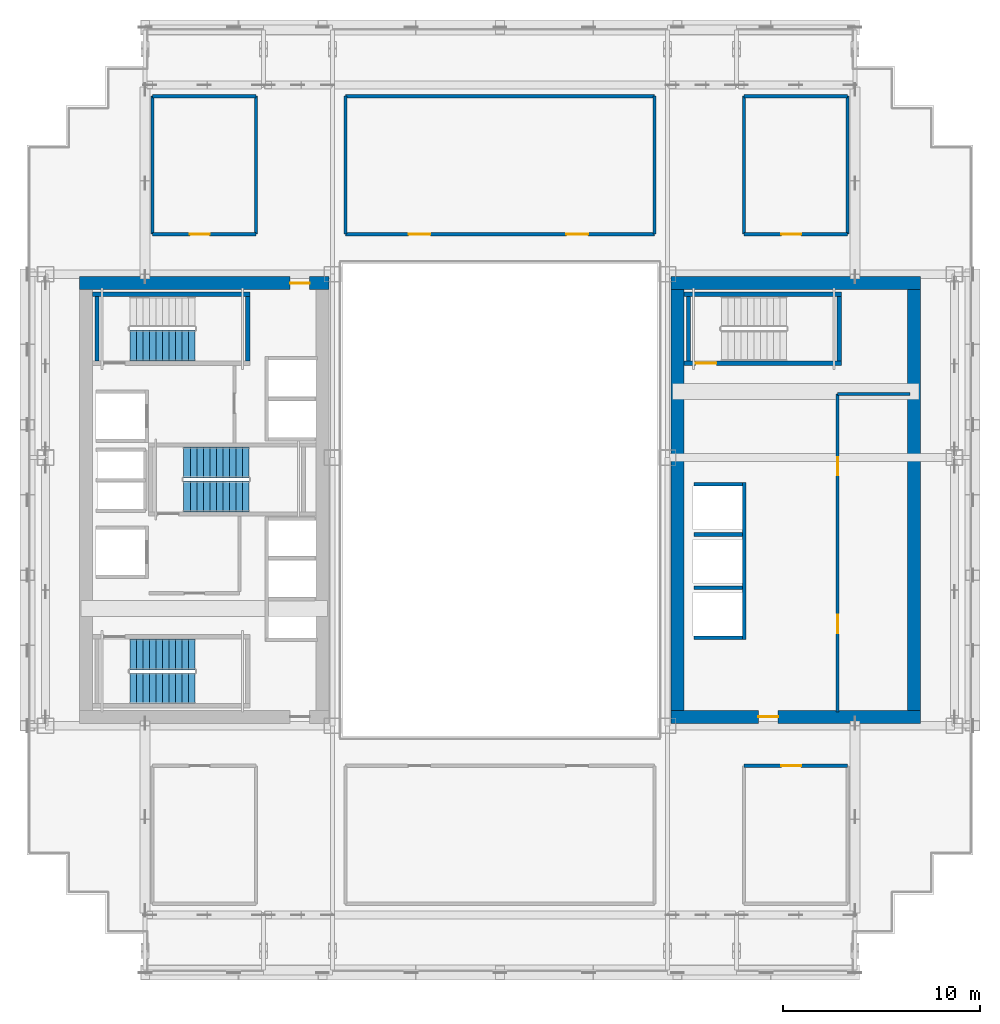
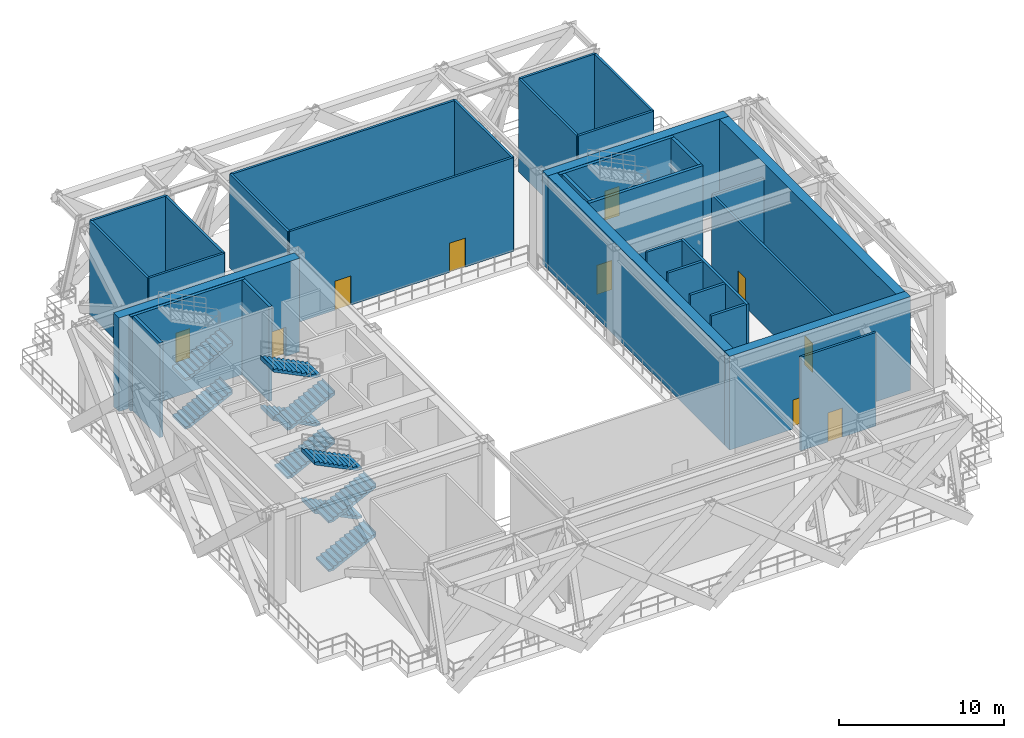
# One storey, part 8 of 14: 32 walls, 10 doors, 10 stair flights, 10 openings, 3 elements without a shape of their own.
"""IFC4 building model written with IfcOpenShell, lengths in metres."""

from ifc_helpers import new_model, si_unit, direction, frame, frame_2d, origin, place, context, subcontext, project, spatial, polyline, rectangle, outline, extrude, source, transform, mapped, material, layer, layer_set, type_object, element, fill, aggregate, save


model = new_model("IFC4")

# Units and contexts
model_context = context("Model", 3, precision=1e-05, world=origin(), true_north=direction((0.0, 1.0)))
body_context = subcontext(model_context, "Body", "Model", "MODEL_VIEW")
ifc_project = project(units=[si_unit("LENGTHUNIT", "METRE"), si_unit("AREAUNIT", "SQUARE_METRE"), si_unit("VOLUMEUNIT", "CUBIC_METRE"), si_unit("PLANEANGLEUNIT", "RADIAN"), si_unit("MASSUNIT", "GRAM", prefix="KILO")], contexts=[model_context])

# Site, building, storey
site_placement = place(None, origin())
site = spatial("IfcSite", under=ifc_project, at=site_placement, CompositionType="ELEMENT")
building_placement = place(site_placement, origin())
building = spatial("IfcBuilding", under=site, at=building_placement, Name="Ocotamira Hotel", CompositionType="ELEMENT")
storey_placement = place(building_placement, frame((0.0, 0.0, 151.199951171875)))
storey = spatial("IfcBuildingStorey", under=building, at=storey_placement, Name="L38", CompositionType="ELEMENT", Elevation=151.199951171875)

# Wall, opening, door
ifc_material_1 = material(Name="Concrete C60/75", Category="concrete")
ifc_layer_1 = layer(ifc_material_1, 0.64990234375)
ifc_layer_set_1 = layer_set([ifc_layer_1], Name="Concrete C60/75")
wall_type_1 = type_object("IfcWallType", Name="WL-CORE-650", PredefinedType="SHEAR", material=ifc_layer_set_1)
wall_1_placement = place(storey_placement, frame((10.675048828125, 37.0, 0.0), z_axis=(0.0, 0.0, 1.0), x_axis=(1.0, 0.0, 0.0)))
wall_1 = element("IfcWall", 1, at=wall_1_placement, inside=storey, type_object=wall_type_1, Name="L38 Shear Core Wall WCORE-N", PredefinedType="SHEAR", context=body_context, shape_type="SweptSolid", body=[
    extrude(rectangle(XDim=12.64990234375, YDim=0.64990234375, at=frame_2d((6.324951171875, 0.0))), origin(), (0.0, 0.0, 1.0), 6.920166015625),
])
opening_1_placement = place(wall_1_placement, frame((10.675048828125, 0.0, 0.0)))
opening_1 = element("IfcOpeningElement", 2, at=opening_1_placement, cuts=wall_1, Name="Opening D-FR2", PredefinedType="OPENING", context=body_context, shape_type="SweptSolid", body=[
    extrude(rectangle(XDim=1.0, YDim=2.14990234375, at=frame_2d((0.5, 1.074951171875))), frame((0.0, 0.3349609375, 0.0), z_axis=(0.0, -1.0, 0.0), x_axis=(1.0, 0.0, 0.0)), (0.0, 0.0, 1.0), 0.669921875),
])
ifc_material_2 = material(Name="Fire-rated acoustic timber-veneer door", Category="wood")
door_type_1 = type_object("IfcDoorType", Name="DR-FIRE-1000", OperationType="NOTDEFINED", PredefinedType="DOOR", material=ifc_material_2)
shared_shape_1 = source(origin(), body_context, "Body", "SweptSolid", [
    extrude(rectangle(XDim=1.0, YDim=2.14990234375, at=frame_2d((0.5, 1.074951171875))), frame((0.0, 0.02490234375, 0.0), z_axis=(0.0, -1.0, 0.0), x_axis=(1.0, 0.0, 0.0)), (0.0, 0.0, 1.0), 0.050048828125),
])
door_1_placement = place(opening_1_placement, origin())
door_1 = element("IfcDoor", 3, at=door_1_placement, inside=storey, type_object=door_type_1, Name="L38 Door ID-L38-WLOB-N-D [ID-L38-WLOB-N-D]", OperationType="SINGLE_SWING_RIGHT", OverallHeight=2.14990234375, OverallWidth=1.0, PredefinedType="DOOR", context=body_context, shape_type="MappedRepresentation", body=[
    mapped(shared_shape_1, transform((0.0, 0.0, 0.0), scale=1.0)),
])
fill(opening_1, door_1)

wall_2_placement = place(storey_placement, frame((40.675048828125, 15.0, 0.0), z_axis=(0.0, 0.0, 1.0), x_axis=(1.0, 0.0, 0.0)))
wall_2 = element("IfcWall", 4, at=wall_2_placement, inside=storey, type_object=wall_type_1, Name="L38 Shear Core Wall ECORE-S", PredefinedType="SHEAR", context=body_context, shape_type="SweptSolid", body=[
    extrude(rectangle(XDim=12.64990234375, YDim=0.64990234375, at=frame_2d((6.324951171875, 0.0))), origin(), (0.0, 0.0, 1.0), 6.920166015625),
])
opening_2_placement = place(wall_2_placement, frame((4.425048828125, 0.0, 0.0)))
opening_2 = element("IfcOpeningElement", 5, at=opening_2_placement, cuts=wall_2, Name="Opening D-FR2", PredefinedType="OPENING", context=body_context, shape_type="SweptSolid", body=[
    extrude(rectangle(XDim=1.0, YDim=2.14990234375, at=frame_2d((0.5, 1.074951171875))), frame((0.0, 0.3349609375, 0.0), z_axis=(0.0, -1.0, 0.0), x_axis=(1.0, 0.0, 0.0)), (0.0, 0.0, 1.0), 0.669921875),
])
door_2_placement = place(opening_2_placement, origin())
door_2 = element("IfcDoor", 6, at=door_2_placement, inside=storey, type_object=door_type_1, Name="L38 Door ID-L38-ELOB-S-D [ID-L38-ELOB-S-D]", OperationType="SINGLE_SWING_RIGHT", OverallHeight=2.14990234375, OverallWidth=1.0, PredefinedType="DOOR", context=body_context, shape_type="MappedRepresentation", body=[
    mapped(shared_shape_1, transform((0.0, 0.0, 0.0), scale=1.0)),
])
fill(opening_2, door_2)

# Walls
wall_3_placement = place(storey_placement, frame((40.675048828125, 37.0, 0.0), z_axis=(0.0, 0.0, 1.0), x_axis=(1.0, 0.0, 0.0)))
element("IfcWall", 7, at=wall_3_placement, inside=storey, type_object=wall_type_1, Name="L38 Shear Core Wall ECORE-N", PredefinedType="SHEAR", context=body_context, shape_type="SweptSolid", body=[
    extrude(rectangle(XDim=12.64990234375, YDim=0.64990234375, at=frame_2d((6.324951171875, 0.0))), origin(), (0.0, 0.0, 1.0), 6.920166015625),
])
for number, where, z_axis, x_axis, name in (
    (8, (41.0, 15.324951171875, 0.0), (0.0, 0.0, 1.0), (0.0, 1.0, 0.0), "L38 Shear Core Wall ECORE-W"),
    (9, (53.0, 15.324951171875, 0.0), (0.0, 0.0, 1.0), (0.0, 1.0, 0.0), "L38 Shear Core Wall ECORE-E"),
):
    element("IfcWall", number, at=place(storey_placement, frame(where, z_axis=z_axis, x_axis=x_axis)), inside=storey, type_object=wall_type_1, Name=name, PredefinedType="SHEAR", context=body_context, shape_type="SweptSolid", body=[
        extrude(rectangle(XDim=21.35009765625, YDim=0.64990234375, at=frame_2d((10.675048828125, 0.0))), origin(), (0.0, 0.0, 1.0), 6.920166015625),
    ])
ifc_material_3 = material(Name="Acoustic double-layer fire gypsum board partition", Category="gypsum")
ifc_layer_2 = layer(ifc_material_3, 0.159912109375)
ifc_layer_set_2 = layer_set([ifc_layer_2], Name="Acoustic double-layer fire gypsum board partition")
wall_type_2 = type_object("IfcWallType", Name="WL-FIRE-160", PredefinedType="PARTITIONING", material=ifc_layer_set_2)
wall_4_placement = place(storey_placement, frame((49.1201171875, 31.3798828125, 0.0), z_axis=(0.0, 0.0, 1.0), x_axis=(1.0, 0.0, 0.0)))
element("IfcWall", 10, at=wall_4_placement, inside=storey, type_object=wall_type_2, Name="L38 Interior Wall PW-L38-EC-FLOW-N", PredefinedType="PARTITIONING", context=body_context, shape_type="SweptSolid", body=[
    extrude(rectangle(XDim=3.679931640625, YDim=0.159912109375, at=frame_2d((1.83984375, 0.0))), origin(), (0.0, 0.0, 1.0), 5.820068359375),
])

# Wall, openings, doors
wall_5_placement = place(storey_placement, frame((49.1201171875, 15.25, 0.0), z_axis=(0.0, 0.0, 1.0), x_axis=(0.0, 1.0, 0.0)))
wall_5 = element("IfcWall", 11, at=wall_5_placement, inside=storey, type_object=wall_type_2, Name="L38 Interior Wall PW-L38-EC-FLOW-W", PredefinedType="PARTITIONING", context=body_context, shape_type="SweptSolid", body=[
    extrude(rectangle(XDim=16.1298828125, YDim=0.159912109375, at=frame_2d((8.06494140625, 0.0))), origin(), (0.0, 0.0, 1.0), 5.820068359375),
])
opening_3_placement = place(wall_5_placement, frame((4.0, 0.0, 0.0)))
opening_3 = element("IfcOpeningElement", 12, at=opening_3_placement, cuts=wall_5, Name="Opening D-SV3", PredefinedType="OPENING", context=body_context, shape_type="SweptSolid", body=[
    extrude(rectangle(XDim=0.919921875, YDim=2.14990234375, at=frame_2d((0.4599609375, 1.074951171875))), frame((0.0, 0.08984375, 0.0), z_axis=(0.0, -1.0, 0.0), x_axis=(1.0, 0.0, 0.0)), (0.0, 0.0, 1.0), 0.179931640625),
])
opening_4_placement = place(wall_5_placement, frame((12.0, 0.0, 0.0)))
opening_4 = element("IfcOpeningElement", 13, at=opening_4_placement, cuts=wall_5, Name="Opening D-SV3", PredefinedType="OPENING", context=body_context, shape_type="SweptSolid", body=[
    extrude(rectangle(XDim=0.919921875, YDim=2.14990234375, at=frame_2d((0.4599609375, 1.074951171875))), frame((0.0, 0.08984375, 0.0), z_axis=(0.0, -1.0, 0.0), x_axis=(1.0, 0.0, 0.0)), (0.0, 0.0, 1.0), 0.179931640625),
])
ifc_material_4 = material(Name="Fire-rated walnut hospitality door", Category="wood")
door_type_2 = type_object("IfcDoorType", Name="DR-SERV-920", OperationType="NOTDEFINED", PredefinedType="DOOR", material=ifc_material_4)
shared_shape_2 = source(origin(), body_context, "Body", "SweptSolid", [
    extrude(rectangle(XDim=0.919921875, YDim=2.14990234375, at=frame_2d((0.4599609375, 1.074951171875))), frame((0.0, 0.02490234375, 0.0), z_axis=(0.0, -1.0, 0.0), x_axis=(1.0, 0.0, 0.0)), (0.0, 0.0, 1.0), 0.050048828125),
])
door_3_placement = place(opening_3_placement, origin())
door_3 = element("IfcDoor", 14, at=door_3_placement, inside=storey, type_object=door_type_2, Name="L38 Door ID-L38-EC-FLOW-D1 [ID-L38-EC-FLOW-D1]", OperationType="SINGLE_SWING_LEFT", OverallHeight=2.14990234375, OverallWidth=0.919921875, PredefinedType="DOOR", context=body_context, shape_type="MappedRepresentation", body=[
    mapped(shared_shape_2, transform((0.0, 0.0, 0.0), scale=1.0)),
])
fill(opening_3, door_3)
door_4_placement = place(opening_4_placement, origin())
door_4 = element("IfcDoor", 15, at=door_4_placement, inside=storey, type_object=door_type_2, Name="L38 Door ID-L38-EC-FLOW-D2 [ID-L38-EC-FLOW-D2]", OperationType="SINGLE_SWING_RIGHT", OverallHeight=2.14990234375, OverallWidth=0.919921875, PredefinedType="DOOR", context=body_context, shape_type="MappedRepresentation", body=[
    mapped(shared_shape_2, transform((0.0, 0.0, 0.0), scale=1.0)),
])
fill(opening_4, door_4)

wall_6_placement = place(storey_placement, frame((24.169921875, 39.47998046875, 0.0), z_axis=(0.0, 0.0, 1.0), x_axis=(1.0, 0.0, 0.0)))
wall_6 = element("IfcWall", 16, at=wall_6_placement, inside=storey, type_object=wall_type_2, Name="L38 Interior Wall PW-L38-L38-REFW-S", PredefinedType="PARTITIONING", context=body_context, shape_type="SweptSolid", body=[
    extrude(rectangle(XDim=15.66015625, YDim=0.159912109375, at=frame_2d((7.830078125, 0.0))), origin(), (0.0, 0.0, 1.0), 6.920166015625),
])
opening_5_placement = place(wall_6_placement, frame((3.199951171875, 0.0, 0.0)))
opening_5 = element("IfcOpeningElement", 17, at=opening_5_placement, cuts=wall_6, Name="Opening D-FR1", PredefinedType="OPENING", context=body_context, shape_type="SweptSolid", body=[
    extrude(rectangle(XDim=1.10009765625, YDim=2.14990234375, at=frame_2d((0.550048828125, 1.074951171875))), frame((0.0, 0.08984375, 0.0), z_axis=(0.0, -1.0, 0.0), x_axis=(1.0, 0.0, 0.0)), (0.0, 0.0, 1.0), 0.179931640625),
])
opening_6_placement = place(wall_6_placement, frame((11.199951171875, 0.0, 0.0)))
opening_6 = element("IfcOpeningElement", 18, at=opening_6_placement, cuts=wall_6, Name="Opening D-FR1", PredefinedType="OPENING", context=body_context, shape_type="SweptSolid", body=[
    extrude(rectangle(XDim=1.10009765625, YDim=2.14990234375, at=frame_2d((0.550048828125, 1.074951171875))), frame((0.0, 0.08984375, 0.0), z_axis=(0.0, -1.0, 0.0), x_axis=(1.0, 0.0, 0.0)), (0.0, 0.0, 1.0), 0.179931640625),
])
door_type_3 = type_object("IfcDoorType", Name="DR-FIRE-1100", OperationType="NOTDEFINED", PredefinedType="DOOR", material=ifc_material_2)
shared_shape_3 = source(origin(), body_context, "Body", "SweptSolid", [
    extrude(rectangle(XDim=1.10009765625, YDim=2.14990234375, at=frame_2d((0.550048828125, 1.074951171875))), frame((0.0, 0.02490234375, 0.0), z_axis=(0.0, -1.0, 0.0), x_axis=(1.0, 0.0, 0.0)), (0.0, 0.0, 1.0), 0.050048828125),
])
door_5_placement = place(opening_5_placement, origin())
door_5 = element("IfcDoor", 19, at=door_5_placement, inside=storey, type_object=door_type_3, Name="L38 Door ID-L38-L38-REFWD1 [ID-L38-L38-REFWD1]", OperationType="SINGLE_SWING_LEFT", OverallHeight=2.14990234375, OverallWidth=1.10009765625, PredefinedType="DOOR", context=body_context, shape_type="MappedRepresentation", body=[
    mapped(shared_shape_3, transform((0.0, 0.0, 0.0), scale=1.0)),
])
fill(opening_5, door_5)
door_6_placement = place(opening_6_placement, origin())
door_6 = element("IfcDoor", 20, at=door_6_placement, inside=storey, type_object=door_type_3, Name="L38 Door ID-L38-L38-REFWD2 [ID-L38-L38-REFWD2]", OperationType="SINGLE_SWING_RIGHT", OverallHeight=2.14990234375, OverallWidth=1.10009765625, PredefinedType="DOOR", context=body_context, shape_type="MappedRepresentation", body=[
    mapped(shared_shape_3, transform((0.0, 0.0, 0.0), scale=1.0)),
])
fill(opening_6, door_6)

# Walls
for number, where, z_axis, x_axis, name in (
    (21, (24.169921875, 39.47998046875, 0.0), (0.0, 0.0, 1.0), (0.0, 1.0, 0.0), "L38 Interior Wall PW-L38-L38-REFW-W"),
    (22, (39.830078125, 39.47998046875, 0.0), (0.0, 0.0, 1.0), (0.0, 1.0, 0.0), "L38 Interior Wall PW-L38-L38-REFW-E"),
):
    element("IfcWall", number, at=place(storey_placement, frame(where, z_axis=z_axis, x_axis=x_axis)), inside=storey, type_object=wall_type_2, Name=name, PredefinedType="PARTITIONING", context=body_context, shape_type="SweptSolid", body=[
        extrude(rectangle(XDim=7.0, YDim=0.159912109375, at=frame_2d((3.5, 0.0))), origin(), (0.0, 0.0, 1.0), 6.920166015625),
    ])
wall_7_placement = place(storey_placement, frame((24.169921875, 46.47998046875, 0.0), z_axis=(0.0, 0.0, 1.0), x_axis=(1.0, 0.0, 0.0)))
element("IfcWall", 23, at=wall_7_placement, inside=storey, type_object=wall_type_2, Name="L38 Interior Wall PW-L38-L38-REFW-N", PredefinedType="PARTITIONING", context=body_context, shape_type="SweptSolid", body=[
    extrude(rectangle(XDim=15.66015625, YDim=0.159912109375, at=frame_2d((7.830078125, 0.0))), origin(), (0.0, 0.0, 1.0), 6.920166015625),
])

# Wall, opening, door
wall_8_placement = place(storey_placement, frame((14.3701171875, 39.47998046875, 0.0), z_axis=(0.0, 0.0, 1.0), x_axis=(1.0, 0.0, 0.0)))
wall_8 = element("IfcWall", 24, at=wall_8_placement, inside=storey, type_object=wall_type_2, Name="L38 Interior Wall PW-L38-L38-PUMP-F", PredefinedType="PARTITIONING", context=body_context, shape_type="SweptSolid", body=[
    extrude(rectangle(XDim=5.259765625, YDim=0.159912109375, at=frame_2d((2.6298828125, 0.0))), origin(), (0.0, 0.0, 1.0), 6.920166015625),
])
opening_7_placement = place(wall_8_placement, frame((1.89990234375, 0.0, 0.0)))
opening_7 = element("IfcOpeningElement", 25, at=opening_7_placement, cuts=wall_8, Name="Opening D-FR2", PredefinedType="OPENING", context=body_context, shape_type="SweptSolid", body=[
    extrude(rectangle(XDim=1.0, YDim=2.14990234375, at=frame_2d((0.5, 1.074951171875))), frame((0.0, 0.08984375, 0.0), z_axis=(0.0, -1.0, 0.0), x_axis=(1.0, 0.0, 0.0)), (0.0, 0.0, 1.0), 0.179931640625),
])
door_7_placement = place(opening_7_placement, origin())
door_7 = element("IfcDoor", 26, at=door_7_placement, inside=storey, type_object=door_type_1, Name="L38 Door ID-L38-L38-PUMP-D [ID-L38-L38-PUMP-D]", OperationType="SINGLE_SWING_LEFT", OverallHeight=2.14990234375, OverallWidth=1.0, PredefinedType="DOOR", context=body_context, shape_type="MappedRepresentation", body=[
    mapped(shared_shape_1, transform((0.0, 0.0, 0.0), scale=1.0)),
])
fill(opening_7, door_7)

# Walls
wall_9_placement = place(storey_placement, frame((14.3701171875, 46.47998046875, 0.0), z_axis=(0.0, 0.0, 1.0), x_axis=(1.0, 0.0, 0.0)))
element("IfcWall", 27, at=wall_9_placement, inside=storey, type_object=wall_type_2, Name="L38 Interior Wall PW-L38-L38-PUMP-B", PredefinedType="PARTITIONING", context=body_context, shape_type="SweptSolid", body=[
    extrude(rectangle(XDim=5.259765625, YDim=0.159912109375, at=frame_2d((2.6298828125, 0.0))), origin(), (0.0, 0.0, 1.0), 6.920166015625),
])
for number, where, z_axis, x_axis, name in (
    (28, (14.3701171875, 39.47998046875, 0.0), (0.0, 0.0, 1.0), (0.0, 1.0, 0.0), "L38 Interior Wall PW-L38-L38-PUMP-W"),
    (29, (19.6298828125, 39.47998046875, 0.0), (0.0, 0.0, 1.0), (0.0, 1.0, 0.0), "L38 Interior Wall PW-L38-L38-PUMP-E"),
):
    element("IfcWall", number, at=place(storey_placement, frame(where, z_axis=z_axis, x_axis=x_axis)), inside=storey, type_object=wall_type_2, Name=name, PredefinedType="PARTITIONING", context=body_context, shape_type="SweptSolid", body=[
        extrude(rectangle(XDim=7.0, YDim=0.159912109375, at=frame_2d((3.5, 0.0))), origin(), (0.0, 0.0, 1.0), 6.920166015625),
    ])

# Wall, opening, door
wall_10_placement = place(storey_placement, frame((44.3701171875, 39.47998046875, 0.0), z_axis=(0.0, 0.0, 1.0), x_axis=(1.0, 0.0, 0.0)))
wall_10 = element("IfcWall", 30, at=wall_10_placement, inside=storey, type_object=wall_type_2, Name="L38 Interior Wall PW-L38-L38-ELEC-F", PredefinedType="PARTITIONING", context=body_context, shape_type="SweptSolid", body=[
    extrude(rectangle(XDim=5.259765625, YDim=0.159912109375, at=frame_2d((2.6298828125, 0.0))), origin(), (0.0, 0.0, 1.0), 6.920166015625),
])
opening_8_placement = place(wall_10_placement, frame((1.89990234375, 0.0, 0.0)))
opening_8 = element("IfcOpeningElement", 31, at=opening_8_placement, cuts=wall_10, Name="Opening D-FR2", PredefinedType="OPENING", context=body_context, shape_type="SweptSolid", body=[
    extrude(rectangle(XDim=1.0, YDim=2.14990234375, at=frame_2d((0.5, 1.074951171875))), frame((0.0, 0.08984375, 0.0), z_axis=(0.0, -1.0, 0.0), x_axis=(1.0, 0.0, 0.0)), (0.0, 0.0, 1.0), 0.179931640625),
])
door_8_placement = place(opening_8_placement, origin())
door_8 = element("IfcDoor", 32, at=door_8_placement, inside=storey, type_object=door_type_1, Name="L38 Door ID-L38-L38-ELEC-D [ID-L38-L38-ELEC-D]", OperationType="SINGLE_SWING_LEFT", OverallHeight=2.14990234375, OverallWidth=1.0, PredefinedType="DOOR", context=body_context, shape_type="MappedRepresentation", body=[
    mapped(shared_shape_1, transform((0.0, 0.0, 0.0), scale=1.0)),
])
fill(opening_8, door_8)

# Walls
wall_11_placement = place(storey_placement, frame((44.3701171875, 46.47998046875, 0.0), z_axis=(0.0, 0.0, 1.0), x_axis=(1.0, 0.0, 0.0)))
element("IfcWall", 33, at=wall_11_placement, inside=storey, type_object=wall_type_2, Name="L38 Interior Wall PW-L38-L38-ELEC-B", PredefinedType="PARTITIONING", context=body_context, shape_type="SweptSolid", body=[
    extrude(rectangle(XDim=5.259765625, YDim=0.159912109375, at=frame_2d((2.6298828125, 0.0))), origin(), (0.0, 0.0, 1.0), 6.920166015625),
])
for number, where, z_axis, x_axis, name in (
    (34, (44.3701171875, 39.47998046875, 0.0), (0.0, 0.0, 1.0), (0.0, 1.0, 0.0), "L38 Interior Wall PW-L38-L38-ELEC-W"),
    (35, (49.6298828125, 39.47998046875, 0.0), (0.0, 0.0, 1.0), (0.0, 1.0, 0.0), "L38 Interior Wall PW-L38-L38-ELEC-E"),
):
    element("IfcWall", number, at=place(storey_placement, frame(where, z_axis=z_axis, x_axis=x_axis)), inside=storey, type_object=wall_type_2, Name=name, PredefinedType="PARTITIONING", context=body_context, shape_type="SweptSolid", body=[
        extrude(rectangle(XDim=7.0, YDim=0.159912109375, at=frame_2d((3.5, 0.0))), origin(), (0.0, 0.0, 1.0), 6.920166015625),
    ])

# Wall, opening, door
wall_12_placement = place(storey_placement, frame((44.3701171875, 12.52001953125, 0.0), z_axis=(0.0, 0.0, 1.0), x_axis=(1.0, 0.0, 0.0)))
wall_12 = element("IfcWall", 36, at=wall_12_placement, inside=storey, type_object=wall_type_2, Name="L38 Interior Wall PW-L38-L38-AHU-F", PredefinedType="PARTITIONING", context=body_context, shape_type="SweptSolid", body=[
    extrude(rectangle(XDim=5.259765625, YDim=0.159912109375, at=frame_2d((2.6298828125, 0.0))), origin(), (0.0, 0.0, 1.0), 6.920166015625),
])
opening_9_placement = place(wall_12_placement, frame((1.89990234375, 0.0, 0.0)))
opening_9 = element("IfcOpeningElement", 37, at=opening_9_placement, cuts=wall_12, Name="Opening D-FR2", PredefinedType="OPENING", context=body_context, shape_type="SweptSolid", body=[
    extrude(rectangle(XDim=1.0, YDim=2.14990234375, at=frame_2d((0.5, 1.074951171875))), frame((0.0, 0.08984375, 0.0), z_axis=(0.0, -1.0, 0.0), x_axis=(1.0, 0.0, 0.0)), (0.0, 0.0, 1.0), 0.179931640625),
])
door_9_placement = place(opening_9_placement, origin())
door_9 = element("IfcDoor", 38, at=door_9_placement, inside=storey, type_object=door_type_1, Name="L38 Door ID-L38-L38-AHU-D [ID-L38-L38-AHU-D]", OperationType="SINGLE_SWING_RIGHT", OverallHeight=2.14990234375, OverallWidth=1.0, PredefinedType="DOOR", context=body_context, shape_type="MappedRepresentation", body=[
    mapped(shared_shape_1, transform((0.0, 0.0, 0.0), scale=1.0)),
])
fill(opening_9, door_9)

# Walls
ifc_material_5 = material(Name="Fire-rated gypsum shaftliner board assembly", Category="gypsum")
ifc_layer_3 = layer(ifc_material_5, 0.179931640625)
ifc_layer_set_3 = layer_set([ifc_layer_3], Name="Fire-rated gypsum shaftliner board assembly")
wall_type_3 = type_object("IfcWallType", Name="WL-SHAFT-180", PredefinedType="SOLIDWALL", material=ifc_layer_set_3)
wall_13_placement = place(storey_placement, frame((44.389892578125, 18.919921875, 0.0), z_axis=(0.0, 0.0, 1.0), x_axis=(0.0, 1.0, 0.0)))
element("IfcWall", 39, at=wall_13_placement, inside=storey, type_object=wall_type_3, Name="L38 Interior Wall PW-L38-LFW-BANK-mid-F", PredefinedType="SOLIDWALL", context=body_context, shape_type="SweptSolid", body=[
    extrude(rectangle(XDim=7.9599609375, YDim=0.179931640625, at=frame_2d((3.97998046875, 0.0))), origin(), (0.0, 0.0, 1.0), 6.920166015625),
])
for number, where, z_axis, x_axis, name in (
    (40, (41.85009765625, 19.010009765625, 0.0), (0.0, 0.0, 1.0), (1.0, 0.0, 0.0), "L38 Interior Wall PW-L38-LFW-BANK-mid-S"),
    (41, (41.85009765625, 26.7900390625, 0.0), (0.0, 0.0, 1.0), (1.0, 0.0, 0.0), "L38 Interior Wall PW-L38-LFW-BANK-mid-N"),
    (42, (41.85009765625, 21.550048828125, 0.0), (0.0, 0.0, 1.0), (1.0, 0.0, 0.0), "L38 Interior Wall PW-L38-LFW-DIV-LF-P4"),
    (43, (41.85009765625, 24.25, 0.0), (0.0, 0.0, 1.0), (1.0, 0.0, 0.0), "L38 Interior Wall PW-L38-LFW-DIV-LF-P5"),
):
    element("IfcWall", number, at=place(storey_placement, frame(where, z_axis=z_axis, x_axis=x_axis)), inside=storey, type_object=wall_type_3, Name=name, PredefinedType="SOLIDWALL", context=body_context, shape_type="SweptSolid", body=[
        extrude(rectangle(XDim=2.449951171875, YDim=0.179931640625, at=frame_2d((1.22509765625, 0.0))), origin(), (0.0, 0.0, 1.0), 6.920166015625),
    ])
ifc_material_6 = material(Name="Concrete C50/60", Category="concrete")
ifc_layer_4 = layer(ifc_material_6, 0.219970703125)
ifc_layer_set_4 = layer_set([ifc_layer_4], Name="Concrete C50/60")
wall_type_4 = type_object("IfcWallType", Name="WL-STAIR-220", PredefinedType="SHEAR", material=ifc_layer_set_4)
wall_14_placement = place(storey_placement, frame((11.324951171875, 36.43994140625, 0.0), z_axis=(0.0, 0.0, 1.0), x_axis=(1.0, 0.0, 0.0)))
element("IfcWall", 44, at=wall_14_placement, inside=storey, type_object=wall_type_4, Name="L38 Stair Shaft Structural Wall ST-2-N", PredefinedType="SHEAR", context=body_context, shape_type="SweptSolid", body=[
    extrude(rectangle(XDim=7.985107421875, YDim=0.219970703125, at=frame_2d((3.99267578125, 0.0))), origin(), (0.0, 0.0, 1.0), 7.0),
])
for number, where, z_axis, x_axis, name in (
    (45, (11.56005859375, 33.050048828125, 0.0), (0.0, 0.0, 1.0), (0.0, 1.0, 0.0), "L38 Stair Shaft Structural Wall ST-2-W"),
    (46, (19.199951171875, 33.050048828125, 0.0), (0.0, 0.0, 1.0), (0.0, 1.0, 0.0), "L38 Stair Shaft Structural Wall ST-2-E"),
):
    element("IfcWall", number, at=place(storey_placement, frame(where, z_axis=z_axis, x_axis=x_axis)), inside=storey, type_object=wall_type_4, Name=name, PredefinedType="SHEAR", context=body_context, shape_type="SweptSolid", body=[
        extrude(rectangle(XDim=3.280029296875, YDim=0.219970703125, at=frame_2d((1.64013671875, 0.0))), origin(), (0.0, 0.0, 1.0), 7.0),
    ])

# Wall, opening, door
wall_15_placement = place(storey_placement, frame((41.324951171875, 32.93994140625, 0.0), z_axis=(0.0, 0.0, 1.0), x_axis=(1.0, 0.0, 0.0)))
wall_15 = element("IfcWall", 47, at=wall_15_placement, inside=storey, type_object=wall_type_4, Name="L38 Stair Shaft Structural Wall ST-4-S", PredefinedType="SHEAR", context=body_context, shape_type="SweptSolid", body=[
    extrude(rectangle(XDim=7.985107421875, YDim=0.219970703125, at=frame_2d((3.99267578125, 0.0))), origin(), (0.0, 0.0, 1.0), 7.0),
])
opening_10_placement = place(wall_15_placement, frame((0.594970703125, 0.0, 0.0)))
opening_10 = element("IfcOpeningElement", 48, at=opening_10_placement, cuts=wall_15, Name="Opening D-ST2", PredefinedType="OPENING", context=body_context, shape_type="SweptSolid", body=[
    extrude(rectangle(XDim=1.050048828125, YDim=2.14990234375, at=frame_2d((0.52490234375, 1.074951171875))), frame((0.0, 0.1201171875, 0.0), z_axis=(0.0, -1.0, 0.0), x_axis=(1.0, 0.0, 0.0)), (0.0, 0.0, 1.0), 0.239990234375),
])
ifc_material_7 = material(Name="Insulated painted hollow-metal fire exit door", Category="steel")
door_type_4 = type_object("IfcDoorType", Name="DR-STAIR-1050", OperationType="NOTDEFINED", PredefinedType="DOOR", material=ifc_material_7)
shared_shape_4 = source(origin(), body_context, "Body", "SweptSolid", [
    extrude(rectangle(XDim=1.050048828125, YDim=2.14990234375, at=frame_2d((0.52490234375, 1.074951171875))), frame((0.0, 0.02490234375, 0.0), z_axis=(0.0, -1.0, 0.0), x_axis=(1.0, 0.0, 0.0)), (0.0, 0.0, 1.0), 0.050048828125),
])
door_10_placement = place(opening_10_placement, origin())
door_10 = element("IfcDoor", 49, at=door_10_placement, inside=storey, type_object=door_type_4, Name="L38 Door ID-L38-STD-ST-4 [ID-L38-STD-ST-4]", OperationType="SINGLE_SWING_RIGHT", OverallHeight=2.14990234375, OverallWidth=1.050048828125, PredefinedType="DOOR", context=body_context, shape_type="MappedRepresentation", body=[
    mapped(shared_shape_4, transform((0.0, 0.0, 0.0), scale=1.0)),
])
fill(opening_10, door_10)

# Walls
wall_16_placement = place(storey_placement, frame((41.324951171875, 36.43994140625, 0.0), z_axis=(0.0, 0.0, 1.0), x_axis=(1.0, 0.0, 0.0)))
element("IfcWall", 50, at=wall_16_placement, inside=storey, type_object=wall_type_4, Name="L38 Stair Shaft Structural Wall ST-4-N", PredefinedType="SHEAR", context=body_context, shape_type="SweptSolid", body=[
    extrude(rectangle(XDim=7.985107421875, YDim=0.219970703125, at=frame_2d((3.99267578125, 0.0))), origin(), (0.0, 0.0, 1.0), 7.0),
])
for number, where, z_axis, x_axis, name in (
    (51, (41.56005859375, 33.050048828125, 0.0), (0.0, 0.0, 1.0), (0.0, 1.0, 0.0), "L38 Stair Shaft Structural Wall ST-4-W"),
    (52, (49.199951171875, 33.050048828125, 0.0), (0.0, 0.0, 1.0), (0.0, 1.0, 0.0), "L38 Stair Shaft Structural Wall ST-4-E"),
):
    element("IfcWall", number, at=place(storey_placement, frame(where, z_axis=z_axis, x_axis=x_axis)), inside=storey, type_object=wall_type_4, Name=name, PredefinedType="SHEAR", context=body_context, shape_type="SweptSolid", body=[
        extrude(rectangle(XDim=3.280029296875, YDim=0.219970703125, at=frame_2d((1.64013671875, 0.0))), origin(), (0.0, 0.0, 1.0), 7.0),
    ])

# Stair, stair flights
ifc_material_8 = material(Name="Concrete C40/50", Category="concrete")
stair_type = type_object("IfcStairType", Name="ST-CORE-1560", PredefinedType="HALF_TURN_STAIR", material=ifc_material_8)
stair_1_placement = place(storey_placement, origin())
stair_1 = element("IfcStair", 53, at=stair_1_placement, inside=storey, type_object=stair_type, Name="L38 Exit Stair ST-1", PredefinedType="HALF_TURN_STAIR")
stair_flight_type = type_object("IfcStairFlightType", Name="STF-CORE-1560", PredefinedType="STRAIGHT", material=ifc_material_8)
shared_shape_5 = source(origin(), body_context, "Body", "SweptSolid", [
    extrude(outline(polyline([(-0.00390625, 0.0), (-0.00390625, 0.16357421875), (0.330078125, 0.16357421875), (0.330078125, 0.327392578125), (0.659912109375, 0.327392578125), (0.659912109375, 0.490966796875), (0.989990234375, 0.490966796875), (0.989990234375, 0.654541015625), (1.320068359375, 0.654541015625), (1.320068359375, 0.818115234375), (1.64990234375, 0.818115234375), (1.64990234375, 0.98193359375), (1.97998046875, 0.98193359375), (1.97998046875, 1.1455078125), (2.31005859375, 1.1455078125), (2.31005859375, 1.30908203125), (2.639892578125, 1.30908203125), (2.639892578125, 1.47265625), (2.969970703125, 1.47265625), (2.969970703125, 1.636474609375), (3.300048828125, 1.636474609375), (3.300048828125, 1.800048828125), (3.303955078125, 1.800048828125), (3.303955078125, 1.468994140625), (0.33740234375, 0.0), (-0.00390625, 0.0)])), frame((0.0, 0.780029296875, 0.0), z_axis=(0.0, -1.0, 0.0), x_axis=(1.0, 0.0, 0.0)), (0.0, 0.0, 1.0), 1.56005859375),
])
stair_flight_1_placement = place(storey_placement, frame((13.22998046875, 16.449951171875, 0.0), z_axis=(0.0, 0.0, 1.0), x_axis=(1.0, 0.0, 0.0)))
stair_flight_1 = element("IfcStairFlight", 54, at=stair_flight_1_placement, type_object=stair_flight_type, Name="ST-1 flight 1", NumberOfRisers=11, NumberOfTreads=10, PredefinedType="STRAIGHT", RiserHeight=0.163636364, TreadLength=0.33, context=body_context, shape_type="MappedRepresentation", body=[
    mapped(shared_shape_5, transform((0.0, 0.0, 0.0), scale=1.0)),
])
stair_flight_2_placement = place(storey_placement, frame((16.530029296875, 18.169921875, 1.800048828125), z_axis=(0.0, 0.0, 1.0), x_axis=(-1.0, 0.0, 0.0)))
stair_flight_2 = element("IfcStairFlight", 55, at=stair_flight_2_placement, type_object=stair_flight_type, Name="ST-1 flight 2", NumberOfRisers=11, NumberOfTreads=10, PredefinedType="STRAIGHT", RiserHeight=0.163636364, TreadLength=0.33, context=body_context, shape_type="MappedRepresentation", body=[
    mapped(shared_shape_5, transform((0.0, 0.0, 0.0), scale=1.0)),
])
stair_flight_3_placement = place(storey_placement, frame((13.22998046875, 16.449951171875, 3.60009765625), z_axis=(0.0, 0.0, 1.0), x_axis=(1.0, 0.0, 0.0)))
stair_flight_3 = element("IfcStairFlight", 56, at=stair_flight_3_placement, type_object=stair_flight_type, Name="ST-1 flight 3", NumberOfRisers=11, NumberOfTreads=10, PredefinedType="STRAIGHT", RiserHeight=0.163636364, TreadLength=0.33, context=body_context, shape_type="MappedRepresentation", body=[
    mapped(shared_shape_5, transform((0.0, 0.0, 0.0), scale=1.0)),
])
stair_flight_4_placement = place(storey_placement, frame((16.530029296875, 18.169921875, 5.400146484375), z_axis=(0.0, 0.0, 1.0), x_axis=(-1.0, 0.0, 0.0)))
stair_flight_4 = element("IfcStairFlight", 57, at=stair_flight_4_placement, type_object=stair_flight_type, Name="ST-1 flight 4", NumberOfRisers=11, NumberOfTreads=10, PredefinedType="STRAIGHT", RiserHeight=0.163636364, TreadLength=0.33, context=body_context, shape_type="MappedRepresentation", body=[
    mapped(shared_shape_5, transform((0.0, 0.0, 0.0), scale=1.0)),
])
aggregate(stair_1, [stair_flight_1, stair_flight_2, stair_flight_3, stair_flight_4])

stair_2_placement = place(storey_placement, origin())
stair_2 = element("IfcStair", 58, at=stair_2_placement, inside=storey, type_object=stair_type, Name="L38 Exit Stair ST-2", PredefinedType="HALF_TURN_STAIR")
stair_flight_5_placement = place(storey_placement, frame((13.22998046875, 33.830078125, 0.0), z_axis=(0.0, 0.0, 1.0), x_axis=(1.0, 0.0, 0.0)))
stair_flight_5 = element("IfcStairFlight", 59, at=stair_flight_5_placement, type_object=stair_flight_type, Name="ST-2 flight 1", NumberOfRisers=11, NumberOfTreads=10, PredefinedType="STRAIGHT", RiserHeight=0.163636364, TreadLength=0.33, context=body_context, shape_type="MappedRepresentation", body=[
    mapped(shared_shape_5, transform((0.0, 0.0, 0.0), scale=1.0)),
])
stair_flight_6_placement = place(storey_placement, frame((13.22998046875, 33.830078125, 3.60009765625), z_axis=(0.0, 0.0, 1.0), x_axis=(1.0, 0.0, 0.0)))
stair_flight_6 = element("IfcStairFlight", 60, at=stair_flight_6_placement, type_object=stair_flight_type, Name="ST-2 flight 3", NumberOfRisers=11, NumberOfTreads=10, PredefinedType="STRAIGHT", RiserHeight=0.163636364, TreadLength=0.33, context=body_context, shape_type="MappedRepresentation", body=[
    mapped(shared_shape_5, transform((0.0, 0.0, 0.0), scale=1.0)),
])
aggregate(stair_2, [stair_flight_5, stair_flight_6])

stair_3_placement = place(storey_placement, origin())
stair_3 = element("IfcStair", 61, at=stair_3_placement, inside=storey, type_object=stair_type, Name="L38 Exit Stair ST-3", PredefinedType="HALF_TURN_STAIR")
stair_flight_7_placement = place(storey_placement, frame((15.9599609375, 26.179931640625, 0.0), z_axis=(0.0, 0.0, 1.0), x_axis=(1.0, 0.0, 0.0)))
stair_flight_7 = element("IfcStairFlight", 62, at=stair_flight_7_placement, type_object=stair_flight_type, Name="ST-3 flight 1", NumberOfRisers=11, NumberOfTreads=10, PredefinedType="STRAIGHT", RiserHeight=0.163636364, TreadLength=0.33, context=body_context, shape_type="MappedRepresentation", body=[
    mapped(shared_shape_5, transform((0.0, 0.0, 0.0), scale=1.0)),
])
stair_flight_8_placement = place(storey_placement, frame((19.260009765625, 27.89990234375, 1.800048828125), z_axis=(0.0, 0.0, 1.0), x_axis=(-1.0, 0.0, 0.0)))
stair_flight_8 = element("IfcStairFlight", 63, at=stair_flight_8_placement, type_object=stair_flight_type, Name="ST-3 flight 2", NumberOfRisers=11, NumberOfTreads=10, PredefinedType="STRAIGHT", RiserHeight=0.163636364, TreadLength=0.33, context=body_context, shape_type="MappedRepresentation", body=[
    mapped(shared_shape_5, transform((0.0, 0.0, 0.0), scale=1.0)),
])
stair_flight_9_placement = place(storey_placement, frame((15.9599609375, 26.179931640625, 3.60009765625), z_axis=(0.0, 0.0, 1.0), x_axis=(1.0, 0.0, 0.0)))
stair_flight_9 = element("IfcStairFlight", 64, at=stair_flight_9_placement, type_object=stair_flight_type, Name="ST-3 flight 3", NumberOfRisers=11, NumberOfTreads=10, PredefinedType="STRAIGHT", RiserHeight=0.163636364, TreadLength=0.33, context=body_context, shape_type="MappedRepresentation", body=[
    mapped(shared_shape_5, transform((0.0, 0.0, 0.0), scale=1.0)),
])
stair_flight_10_placement = place(storey_placement, frame((19.260009765625, 27.89990234375, 5.400146484375), z_axis=(0.0, 0.0, 1.0), x_axis=(-1.0, 0.0, 0.0)))
stair_flight_10 = element("IfcStairFlight", 65, at=stair_flight_10_placement, type_object=stair_flight_type, Name="ST-3 flight 4", NumberOfRisers=11, NumberOfTreads=10, PredefinedType="STRAIGHT", RiserHeight=0.163636364, TreadLength=0.33, context=body_context, shape_type="MappedRepresentation", body=[
    mapped(shared_shape_5, transform((0.0, 0.0, 0.0), scale=1.0)),
])
aggregate(stair_3, [stair_flight_7, stair_flight_8, stair_flight_9, stair_flight_10])

save(model, "model.ifc")
